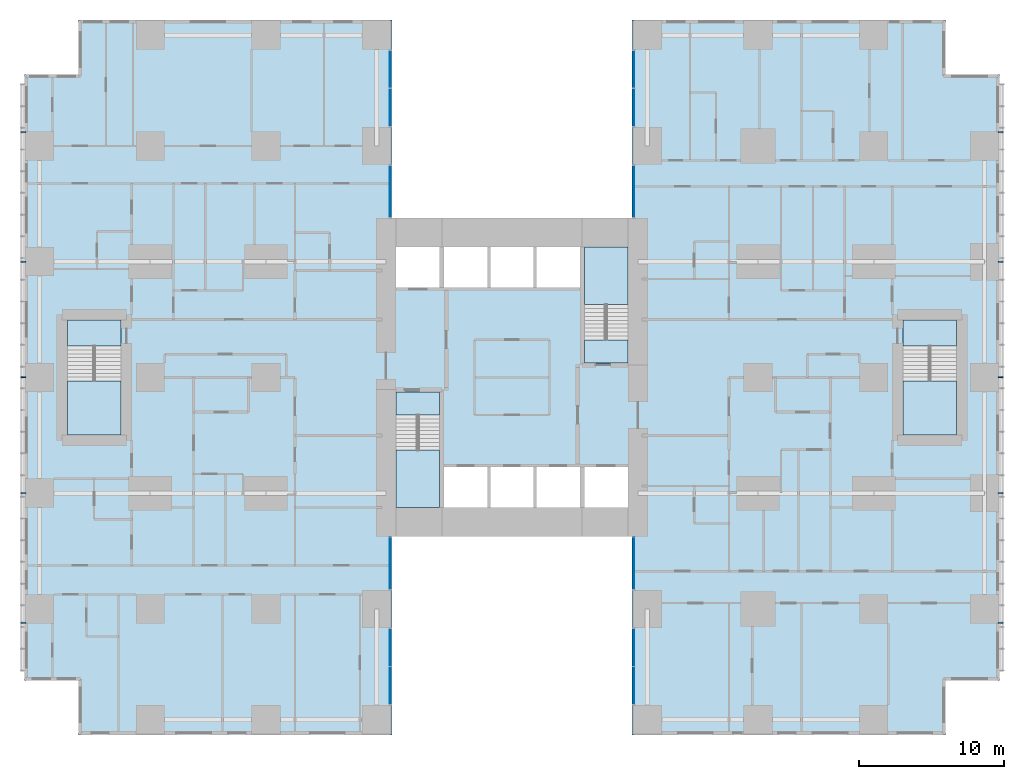
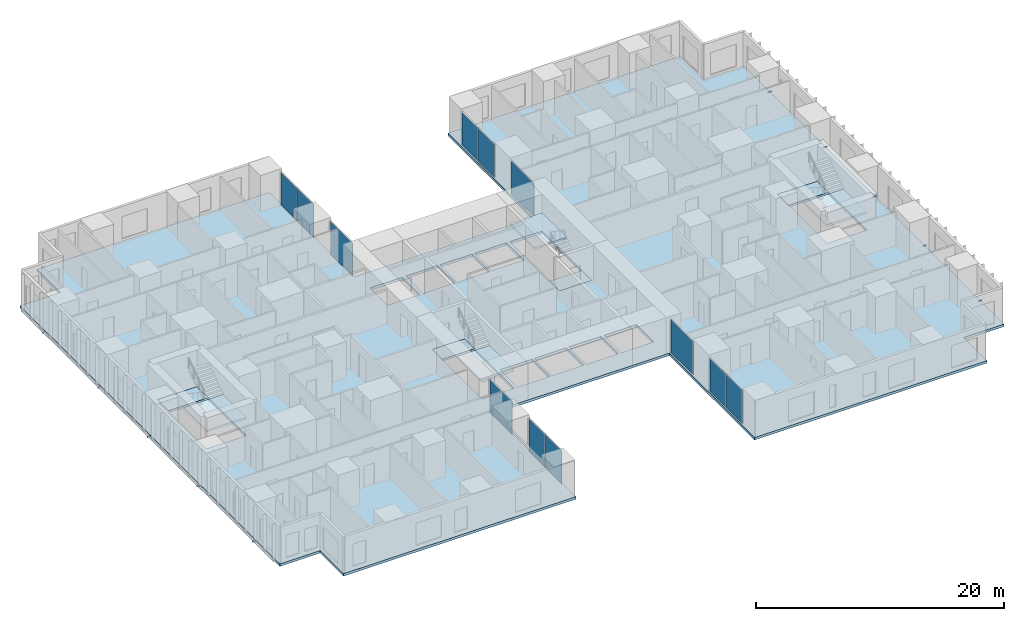
# One storey, part 7 of 20: 12 plates, 10 members, 9 slabs, 12 elements without a shape of their own.
"""IFC4 building model written with IfcOpenShell, lengths in metres."""

from ifc_helpers import new_model, si_unit, direction, frame, origin, origin_2d, place, context, subcontext, project, spatial, polyline, rectangle, hollow_rectangle, outline, extrude, material, layer, layer_set, material_profile, profile_set, type_object, element, aggregate, save


model = new_model("IFC4")

# Units and contexts
model_context = context("Model", 3, precision=1e-05, world=origin(), true_north=direction((0.0, 1.0)))
body_context = subcontext(model_context, "Body", "Model", "MODEL_VIEW")
ifc_project = project(units=[si_unit("LENGTHUNIT", "METRE"), si_unit("AREAUNIT", "SQUARE_METRE"), si_unit("VOLUMEUNIT", "CUBIC_METRE"), si_unit("PLANEANGLEUNIT", "RADIAN"), si_unit("MASSUNIT", "GRAM", prefix="KILO")], contexts=[model_context])

# Site, building, storey
site_placement = place(None, origin())
site = spatial("IfcSite", under=ifc_project, at=site_placement, CompositionType="ELEMENT")
building_placement = place(site_placement, origin())
building = spatial("IfcBuilding", under=site, at=building_placement, Name="Cleftline Residences", CompositionType="ELEMENT")
storey_placement = place(building_placement, frame((0.0, 0.0, 146.60009765625)))
storey = spatial("IfcBuildingStorey", under=building, at=storey_placement, Name="L38", CompositionType="ELEMENT", Elevation=146.60009765625)

# Members
ifc_material_1 = material(Name="Steel S355, hot-dip galvanised", Category="steel")
ifc_material_profile = material_profile(ifc_material_1, hollow_rectangle(XDim=0.10009765625, YDim=0.10009765625, WallThickness=0.008056640625, InnerFilletRadius=0.008056640625, OuterFilletRadius=0.011962890625, at=origin_2d()))
ifc_profile_set = profile_set([ifc_material_profile], Name="Steel S355, hot-dip galvanised")
member_type = type_object("IfcMemberType", Name="BAGUETTE BRACKET SHS 100X100X8", PredefinedType="USERDEFINED", material=ifc_profile_set)
for number, where, z_axis, x_axis, name in (
    (1, (66.60009765625, 7.050048828125, -0.150146484375), (1.0, 0.0, 0.0), (0.0, 1.0, 0.0), "Baguette bracket"),
    (2, (66.60009765625, 16.0, -0.150146484375), (1.0, 0.0, 0.0), (0.0, 1.0, 0.0), "Baguette bracket"),
    (3, (66.60009765625, 24.0, -0.150146484375), (1.0, 0.0, 0.0), (0.0, 1.0, 0.0), "Baguette bracket"),
    (4, (66.60009765625, 32.0, -0.150146484375), (1.0, 0.0, 0.0), (0.0, 1.0, 0.0), "Baguette bracket"),
    (5, (66.60009765625, 40.949951171875, -0.150146484375), (1.0, 0.0, 0.0), (0.0, 1.0, 0.0), "Baguette bracket"),
    (6, (-0.60009765625, 40.949951171875, -0.150146484375), (-1.0, 0.0, 0.0), (0.0, -1.0, 0.0), "Baguette bracket"),
    (7, (-0.60009765625, 32.0, -0.150146484375), (-1.0, 0.0, 0.0), (0.0, -1.0, 0.0), "Baguette bracket"),
    (8, (-0.60009765625, 24.0, -0.150146484375), (-1.0, 0.0, 0.0), (0.0, -1.0, 0.0), "Baguette bracket"),
    (9, (-0.60009765625, 16.0, -0.150146484375), (-1.0, 0.0, 0.0), (0.0, -1.0, 0.0), "Baguette bracket"),
    (10, (-0.60009765625, 7.050048828125, -0.150146484375), (-1.0, 0.0, 0.0), (0.0, -1.0, 0.0), "Baguette bracket"),
):
    element("IfcMember", number, at=place(storey_placement, frame(where, z_axis=z_axis, x_axis=x_axis)), inside=storey, type_object=member_type, Name=name, ObjectType="BAGUETTE BRACKET", PredefinedType="USERDEFINED", context=body_context, shape_type="SweptSolid", body=[
        extrude(hollow_rectangle(XDim=0.10009765625, YDim=0.10009765625, WallThickness=0.008056640625, InnerFilletRadius=0.008056640625, OuterFilletRadius=0.011962890625, at=origin_2d()), origin(), (0.0, 0.0, 1.0), 0.349853515625),
    ])

# Curtain wall, plates
ifc_material_2 = material(Name="Aluminium framed curtain wall", Category="aluminium")
ifc_layer_1 = layer(ifc_material_2, 0.199951171875)
ifc_layer_set_1 = layer_set([ifc_layer_1], Name="CW1 CLEFT GLAZING")
curtain_wall_type = type_object("IfcCurtainWallType", Name="CW1 CLEFT GLAZING", PredefinedType="NOTDEFINED", material=ifc_layer_set_1)
curtain_wall_1_placement = place(storey_placement, origin())
curtain_wall_1 = element("IfcCurtainWall", 11, at=curtain_wall_1_placement, inside=storey, type_object=curtain_wall_type, Name="Curtain wall CW1", PredefinedType="NOTDEFINED")
ifc_material_3 = material(Name="Laminated clear glass", Category="glass")
ifc_layer_2 = layer(ifc_material_3, 0.028076171875)
ifc_layer_set_2 = layer_set([ifc_layer_2], Name="CW1 GLASS PANEL")
plate_type = type_object("IfcPlateType", Name="CW1 GLASS PANEL", PredefinedType="CURTAIN_PANEL", material=ifc_layer_set_2)
plate_1_placement = place(storey_placement, frame((24.574951171875, 2.702392578125, 0.059814453125), z_axis=(0.0, 0.0, 1.0), x_axis=(0.0, 1.0, 0.0)))
plate_1 = element("IfcPlate", 12, at=plate_1_placement, type_object=plate_type, Name="CW1 panel 1.1", PredefinedType="CURTAIN_PANEL", context=body_context, shape_type="SweptSolid", body=[
    extrude(rectangle(XDim=2.5849609375, YDim=0.028076171875, at=origin_2d()), origin(), (0.0, 0.0, 1.0), 3.22998046875),
])
plate_2_placement = place(storey_placement, frame((24.574951171875, 5.347412109375, 0.059814453125), z_axis=(0.0, 0.0, 1.0), x_axis=(0.0, 1.0, 0.0)))
plate_2 = element("IfcPlate", 13, at=plate_2_placement, type_object=plate_type, Name="CW1 panel 2.1", PredefinedType="CURTAIN_PANEL", context=body_context, shape_type="SweptSolid", body=[
    extrude(rectangle(XDim=2.5849609375, YDim=0.028076171875, at=origin_2d()), origin(), (0.0, 0.0, 1.0), 3.22998046875),
])
aggregate(curtain_wall_1, [plate_1, plate_2])

# Curtain wall, plate
curtain_wall_2_placement = place(storey_placement, origin())
curtain_wall_2 = element("IfcCurtainWall", 14, at=curtain_wall_2_placement, inside=storey, type_object=curtain_wall_type, Name="Curtain wall CW1", PredefinedType="NOTDEFINED")
plate_3_placement = place(storey_placement, frame((24.574951171875, 11.14990234375, 0.059814453125), z_axis=(0.0, 0.0, 1.0), x_axis=(0.0, 1.0, 0.0)))
plate_3 = element("IfcPlate", 15, at=plate_3_placement, type_object=plate_type, Name="CW1 panel 1.1", PredefinedType="CURTAIN_PANEL", context=body_context, shape_type="SweptSolid", body=[
    extrude(rectangle(XDim=3.580078125, YDim=0.028076171875, at=origin_2d()), origin(), (0.0, 0.0, 1.0), 3.22998046875),
])
aggregate(curtain_wall_2, [plate_3])

curtain_wall_3_placement = place(storey_placement, origin())
curtain_wall_3 = element("IfcCurtainWall", 16, at=curtain_wall_3_placement, inside=storey, type_object=curtain_wall_type, Name="Curtain wall CW1", PredefinedType="NOTDEFINED")
plate_4_placement = place(storey_placement, frame((41.425048828125, 11.14990234375, 0.059814453125), z_axis=(0.0, 0.0, 1.0), x_axis=(0.0, -1.0, 0.0)))
plate_4 = element("IfcPlate", 17, at=plate_4_placement, type_object=plate_type, Name="CW1 panel 1.1", PredefinedType="CURTAIN_PANEL", context=body_context, shape_type="SweptSolid", body=[
    extrude(rectangle(XDim=3.580078125, YDim=0.028076171875, at=origin_2d()), origin(), (0.0, 0.0, 1.0), 3.22998046875),
])
aggregate(curtain_wall_3, [plate_4])

# Curtain wall, plates
curtain_wall_4_placement = place(storey_placement, origin())
curtain_wall_4 = element("IfcCurtainWall", 18, at=curtain_wall_4_placement, inside=storey, type_object=curtain_wall_type, Name="Curtain wall CW1", PredefinedType="NOTDEFINED")
plate_5_placement = place(storey_placement, frame((41.425048828125, 5.347412109375, 0.059814453125), z_axis=(0.0, 0.0, 1.0), x_axis=(0.0, -1.0, 0.0)))
plate_5 = element("IfcPlate", 19, at=plate_5_placement, type_object=plate_type, Name="CW1 panel 1.1", PredefinedType="CURTAIN_PANEL", context=body_context, shape_type="SweptSolid", body=[
    extrude(rectangle(XDim=2.5849609375, YDim=0.028076171875, at=origin_2d()), origin(), (0.0, 0.0, 1.0), 3.22998046875),
])
plate_6_placement = place(storey_placement, frame((41.425048828125, 2.702392578125, 0.059814453125), z_axis=(0.0, 0.0, 1.0), x_axis=(0.0, -1.0, 0.0)))
plate_6 = element("IfcPlate", 20, at=plate_6_placement, type_object=plate_type, Name="CW1 panel 2.1", PredefinedType="CURTAIN_PANEL", context=body_context, shape_type="SweptSolid", body=[
    extrude(rectangle(XDim=2.5849609375, YDim=0.028076171875, at=origin_2d()), origin(), (0.0, 0.0, 1.0), 3.22998046875),
])
aggregate(curtain_wall_4, [plate_5, plate_6])

curtain_wall_5_placement = place(storey_placement, origin())
curtain_wall_5 = element("IfcCurtainWall", 21, at=curtain_wall_5_placement, inside=storey, type_object=curtain_wall_type, Name="Curtain wall CW1", PredefinedType="NOTDEFINED")
plate_7_placement = place(storey_placement, frame((41.425048828125, 45.297607421875, 0.059814453125), z_axis=(0.0, 0.0, 1.0), x_axis=(0.0, -1.0, 0.0)))
plate_7 = element("IfcPlate", 22, at=plate_7_placement, type_object=plate_type, Name="CW1 panel 1.1", PredefinedType="CURTAIN_PANEL", context=body_context, shape_type="SweptSolid", body=[
    extrude(rectangle(XDim=2.5849609375, YDim=0.028076171875, at=origin_2d()), origin(), (0.0, 0.0, 1.0), 3.22998046875),
])
plate_8_placement = place(storey_placement, frame((41.425048828125, 42.652587890625, 0.059814453125), z_axis=(0.0, 0.0, 1.0), x_axis=(0.0, -1.0, 0.0)))
plate_8 = element("IfcPlate", 23, at=plate_8_placement, type_object=plate_type, Name="CW1 panel 2.1", PredefinedType="CURTAIN_PANEL", context=body_context, shape_type="SweptSolid", body=[
    extrude(rectangle(XDim=2.5849609375, YDim=0.028076171875, at=origin_2d()), origin(), (0.0, 0.0, 1.0), 3.22998046875),
])
aggregate(curtain_wall_5, [plate_7, plate_8])

# Curtain wall, plate
curtain_wall_6_placement = place(storey_placement, origin())
curtain_wall_6 = element("IfcCurtainWall", 24, at=curtain_wall_6_placement, inside=storey, type_object=curtain_wall_type, Name="Curtain wall CW1", PredefinedType="NOTDEFINED")
plate_9_placement = place(storey_placement, frame((41.425048828125, 36.85009765625, 0.059814453125), z_axis=(0.0, 0.0, 1.0), x_axis=(0.0, -1.0, 0.0)))
plate_9 = element("IfcPlate", 25, at=plate_9_placement, type_object=plate_type, Name="CW1 panel 1.1", PredefinedType="CURTAIN_PANEL", context=body_context, shape_type="SweptSolid", body=[
    extrude(rectangle(XDim=3.580078125, YDim=0.028076171875, at=origin_2d()), origin(), (0.0, 0.0, 1.0), 3.22998046875),
])
aggregate(curtain_wall_6, [plate_9])

curtain_wall_7_placement = place(storey_placement, origin())
curtain_wall_7 = element("IfcCurtainWall", 26, at=curtain_wall_7_placement, inside=storey, type_object=curtain_wall_type, Name="Curtain wall CW1", PredefinedType="NOTDEFINED")
plate_10_placement = place(storey_placement, frame((24.574951171875, 36.85009765625, 0.059814453125), z_axis=(0.0, 0.0, 1.0), x_axis=(0.0, 1.0, 0.0)))
plate_10 = element("IfcPlate", 27, at=plate_10_placement, type_object=plate_type, Name="CW1 panel 1.1", PredefinedType="CURTAIN_PANEL", context=body_context, shape_type="SweptSolid", body=[
    extrude(rectangle(XDim=3.580078125, YDim=0.028076171875, at=origin_2d()), origin(), (0.0, 0.0, 1.0), 3.22998046875),
])
aggregate(curtain_wall_7, [plate_10])

# Curtain wall, plates
curtain_wall_8_placement = place(storey_placement, origin())
curtain_wall_8 = element("IfcCurtainWall", 28, at=curtain_wall_8_placement, inside=storey, type_object=curtain_wall_type, Name="Curtain wall CW1", PredefinedType="NOTDEFINED")
plate_11_placement = place(storey_placement, frame((24.574951171875, 42.652587890625, 0.059814453125), z_axis=(0.0, 0.0, 1.0), x_axis=(0.0, 1.0, 0.0)))
plate_11 = element("IfcPlate", 29, at=plate_11_placement, type_object=plate_type, Name="CW1 panel 1.1", PredefinedType="CURTAIN_PANEL", context=body_context, shape_type="SweptSolid", body=[
    extrude(rectangle(XDim=2.5849609375, YDim=0.028076171875, at=origin_2d()), origin(), (0.0, 0.0, 1.0), 3.22998046875),
])
plate_12_placement = place(storey_placement, frame((24.574951171875, 45.297607421875, 0.059814453125), z_axis=(0.0, 0.0, 1.0), x_axis=(0.0, 1.0, 0.0)))
plate_12 = element("IfcPlate", 30, at=plate_12_placement, type_object=plate_type, Name="CW1 panel 2.1", PredefinedType="CURTAIN_PANEL", context=body_context, shape_type="SweptSolid", body=[
    extrude(rectangle(XDim=2.5849609375, YDim=0.028076171875, at=origin_2d()), origin(), (0.0, 0.0, 1.0), 3.22998046875),
])
aggregate(curtain_wall_8, [plate_11, plate_12])

# Slab
ifc_material_4 = material(Name="Concrete B45", Category="concrete")
ifc_layer_3 = layer(ifc_material_4, 0.25)
ifc_layer_set_3 = layer_set([ifc_layer_3], Name="FLOOR SLAB 250")
slab_type_1 = type_object("IfcSlabType", Name="FLOOR SLAB 250", PredefinedType="FLOOR", material=ifc_layer_set_3)
slab_1_placement = place(storey_placement, frame((0.0, 0.0, -0.25)))
element("IfcSlab", 31, at=slab_1_placement, inside=storey, type_object=slab_type_1, Name="Floor slab L38", PredefinedType="FLOOR", context=body_context, shape_type="SweptSolid", body=[
    extrude(outline(polyline([(24.699951171875, 13.0), (41.300048828125, 13.0), (41.300048828125, -0.699951171875), (62.949951171875, -0.699951171875), (62.949951171875, 3.050048828125), (66.699951171875, 3.050048828125), (66.699951171875, 44.949951171875), (62.949951171875, 44.949951171875), (62.949951171875, 48.699951171875), (41.300048828125, 48.699951171875), (41.300048828125, 35.0), (24.699951171875, 35.0), (24.699951171875, 48.699951171875), (3.050048828125, 48.699951171875), (3.050048828125, 44.949951171875), (-0.699951171875, 44.949951171875), (-0.699951171875, 3.050048828125), (3.050048828125, 3.050048828125), (3.050048828125, -0.699951171875), (24.699951171875, -0.699951171875), (24.699951171875, 13.0)]), holes=[polyline([(28.0, 15.0), (28.0, 23.0), (25.0, 23.0), (25.0, 15.0), (28.0, 15.0)]), polyline([(41.0, 25.0), (41.0, 33.0), (38.0, 33.0), (38.0, 25.0), (41.0, 25.0)]), polyline([(28.0, 30.199951171875), (28.0, 33.0), (25.0, 33.0), (25.0, 30.199951171875), (28.0, 30.199951171875)]), polyline([(41.0, 15.0), (41.0, 17.800048828125), (38.0, 17.800048828125), (38.0, 15.0), (41.0, 15.0)]), polyline([(31.300048828125, 15.0), (31.300048828125, 17.800048828125), (28.300048828125, 17.800048828125), (28.300048828125, 15.0), (31.300048828125, 15.0)]), polyline([(34.5, 15.0), (34.5, 17.800048828125), (31.5, 17.800048828125), (31.5, 15.0), (34.5, 15.0)]), polyline([(37.699951171875, 15.0), (37.699951171875, 17.800048828125), (34.699951171875, 17.800048828125), (34.699951171875, 15.0), (37.699951171875, 15.0)]), polyline([(31.300048828125, 30.199951171875), (31.300048828125, 33.0), (28.300048828125, 33.0), (28.300048828125, 30.199951171875), (31.300048828125, 30.199951171875)]), polyline([(34.5, 30.199951171875), (34.5, 33.0), (31.5, 33.0), (31.5, 30.199951171875), (34.5, 30.199951171875)]), polyline([(37.699951171875, 30.199951171875), (37.699951171875, 33.0), (34.699951171875, 33.0), (34.699951171875, 30.199951171875), (37.699951171875, 30.199951171875)]), polyline([(63.72509765625, 20.02490234375), (63.72509765625, 27.97509765625), (60.02490234375, 27.97509765625), (60.02490234375, 20.02490234375), (63.72509765625, 20.02490234375)]), polyline([(5.97509765625, 20.02490234375), (5.97509765625, 27.97509765625), (2.27490234375, 27.97509765625), (2.27490234375, 20.02490234375), (5.97509765625, 20.02490234375)])]), origin(), (0.0, 0.0, 1.0), 0.25),
])

# Stair, slabs
ifc_material_5 = material(Name="Concrete B45, stone treads", Category="masonry")
stair_type_1 = type_object("IfcStairType", Name="STAIR A 1450 WIDE 180 RISER", PredefinedType="HALF_TURN_STAIR", material=ifc_material_5)
stair_1_placement = place(storey_placement, origin())
stair_1 = element("IfcStair", 32, at=stair_1_placement, inside=storey, type_object=stair_type_1, Name="Stair A L38", PredefinedType="HALF_TURN_STAIR")
ifc_material_6 = material(Name="Concrete B45", Category="concrete")
ifc_layer_4 = layer(ifc_material_6, 0.199951171875)
ifc_layer_set_4 = layer_set([ifc_layer_4], Name="STAIR LANDING 200")
slab_type_2 = type_object("IfcSlabType", Name="STAIR LANDING 200", PredefinedType="LANDING", material=ifc_layer_set_4)
slab_2_placement = place(storey_placement, frame((0.0, 0.0, -0.2001953125)))
slab_2 = element("IfcSlab", 33, at=slab_2_placement, type_object=slab_type_2, Name="ST-A landing 1", PredefinedType="LANDING", context=body_context, shape_type="SweptSolid", body=[
    extrude(outline(polyline([(25.0, 21.39990234375), (28.0, 21.39990234375), (28.0, 23.0), (25.0, 23.0), (25.0, 21.39990234375)])), origin(), (0.0, 0.0, 1.0), 0.2001953125),
])
slab_3_placement = place(storey_placement, frame((0.0, 0.0, 1.599853515625)))
slab_3 = element("IfcSlab", 34, at=slab_3_placement, type_object=slab_type_2, Name="ST-A landing 2", PredefinedType="LANDING", context=body_context, shape_type="SweptSolid", body=[
    extrude(outline(polyline([(25.0, 15.0), (28.0, 15.0), (28.0, 18.969970703125), (25.0, 18.969970703125), (25.0, 15.0)])), origin(), (0.0, 0.0, 1.0), 0.199951171875),
])
aggregate(stair_1, [slab_2, slab_3])

ifc_material_7 = material(Name="Concrete B45, stone treads", Category="masonry")
stair_type_2 = type_object("IfcStairType", Name="STAIR B 1450 WIDE 180 RISER", PredefinedType="HALF_TURN_STAIR", material=ifc_material_7)
stair_2_placement = place(storey_placement, origin())
stair_2 = element("IfcStair", 35, at=stair_2_placement, inside=storey, type_object=stair_type_2, Name="Stair B L38", PredefinedType="HALF_TURN_STAIR")
slab_4_placement = place(storey_placement, frame((0.0, 0.0, -0.2001953125)))
slab_4 = element("IfcSlab", 36, at=slab_4_placement, type_object=slab_type_2, Name="ST-B landing 1", PredefinedType="LANDING", context=body_context, shape_type="SweptSolid", body=[
    extrude(outline(polyline([(38.0, 25.0), (41.0, 25.0), (41.0, 26.60009765625), (38.0, 26.60009765625), (38.0, 25.0)])), origin(), (0.0, 0.0, 1.0), 0.2001953125),
])
slab_5_placement = place(storey_placement, frame((0.0, 0.0, 1.599853515625)))
slab_5 = element("IfcSlab", 37, at=slab_5_placement, type_object=slab_type_2, Name="ST-B landing 2", PredefinedType="LANDING", context=body_context, shape_type="SweptSolid", body=[
    extrude(outline(polyline([(38.0, 29.030029296875), (41.0, 29.030029296875), (41.0, 33.0), (38.0, 33.0), (38.0, 29.030029296875)])), origin(), (0.0, 0.0, 1.0), 0.199951171875),
])
aggregate(stair_2, [slab_4, slab_5])

ifc_material_8 = material(Name="Concrete B45, stone treads", Category="masonry")
stair_type_3 = type_object("IfcStairType", Name="STAIR E 1800 WIDE 180 RISER", PredefinedType="HALF_TURN_STAIR", material=ifc_material_8)
stair_3_placement = place(storey_placement, origin())
stair_3 = element("IfcStair", 38, at=stair_3_placement, inside=storey, type_object=stair_type_3, Name="Stair E L38", PredefinedType="HALF_TURN_STAIR")
slab_6_placement = place(storey_placement, frame((0.0, 0.0, -0.2001953125)))
slab_6 = element("IfcSlab", 39, at=slab_6_placement, type_object=slab_type_2, Name="ST-E landing 1", PredefinedType="LANDING", context=body_context, shape_type="SweptSolid", body=[
    extrude(outline(polyline([(60.02490234375, 26.175048828125), (63.72509765625, 26.175048828125), (63.72509765625, 27.97509765625), (60.02490234375, 27.97509765625), (60.02490234375, 26.175048828125)])), origin(), (0.0, 0.0, 1.0), 0.2001953125),
])
slab_7_placement = place(storey_placement, frame((0.0, 0.0, 1.599853515625)))
slab_7 = element("IfcSlab", 40, at=slab_7_placement, type_object=slab_type_2, Name="ST-E landing 2", PredefinedType="LANDING", context=body_context, shape_type="SweptSolid", body=[
    extrude(outline(polyline([(60.02490234375, 20.02490234375), (63.72509765625, 20.02490234375), (63.72509765625, 23.7451171875), (60.02490234375, 23.7451171875), (60.02490234375, 20.02490234375)])), origin(), (0.0, 0.0, 1.0), 0.199951171875),
])
aggregate(stair_3, [slab_6, slab_7])

ifc_material_9 = material(Name="Concrete B45, stone treads", Category="masonry")
stair_type_4 = type_object("IfcStairType", Name="STAIR W 1800 WIDE 180 RISER", PredefinedType="HALF_TURN_STAIR", material=ifc_material_9)
stair_4_placement = place(storey_placement, origin())
stair_4 = element("IfcStair", 41, at=stair_4_placement, inside=storey, type_object=stair_type_4, Name="Stair W L38", PredefinedType="HALF_TURN_STAIR")
slab_8_placement = place(storey_placement, frame((0.0, 0.0, -0.2001953125)))
slab_8 = element("IfcSlab", 42, at=slab_8_placement, type_object=slab_type_2, Name="ST-W landing 1", PredefinedType="LANDING", context=body_context, shape_type="SweptSolid", body=[
    extrude(outline(polyline([(2.27490234375, 26.175048828125), (5.97509765625, 26.175048828125), (5.97509765625, 27.97509765625), (2.27490234375, 27.97509765625), (2.27490234375, 26.175048828125)])), origin(), (0.0, 0.0, 1.0), 0.2001953125),
])
slab_9_placement = place(storey_placement, frame((0.0, 0.0, 1.599853515625)))
slab_9 = element("IfcSlab", 43, at=slab_9_placement, type_object=slab_type_2, Name="ST-W landing 2", PredefinedType="LANDING", context=body_context, shape_type="SweptSolid", body=[
    extrude(outline(polyline([(2.27490234375, 20.02490234375), (5.97509765625, 20.02490234375), (5.97509765625, 23.7451171875), (2.27490234375, 23.7451171875), (2.27490234375, 20.02490234375)])), origin(), (0.0, 0.0, 1.0), 0.199951171875),
])
aggregate(stair_4, [slab_8, slab_9])

save(model, "model.ifc")
